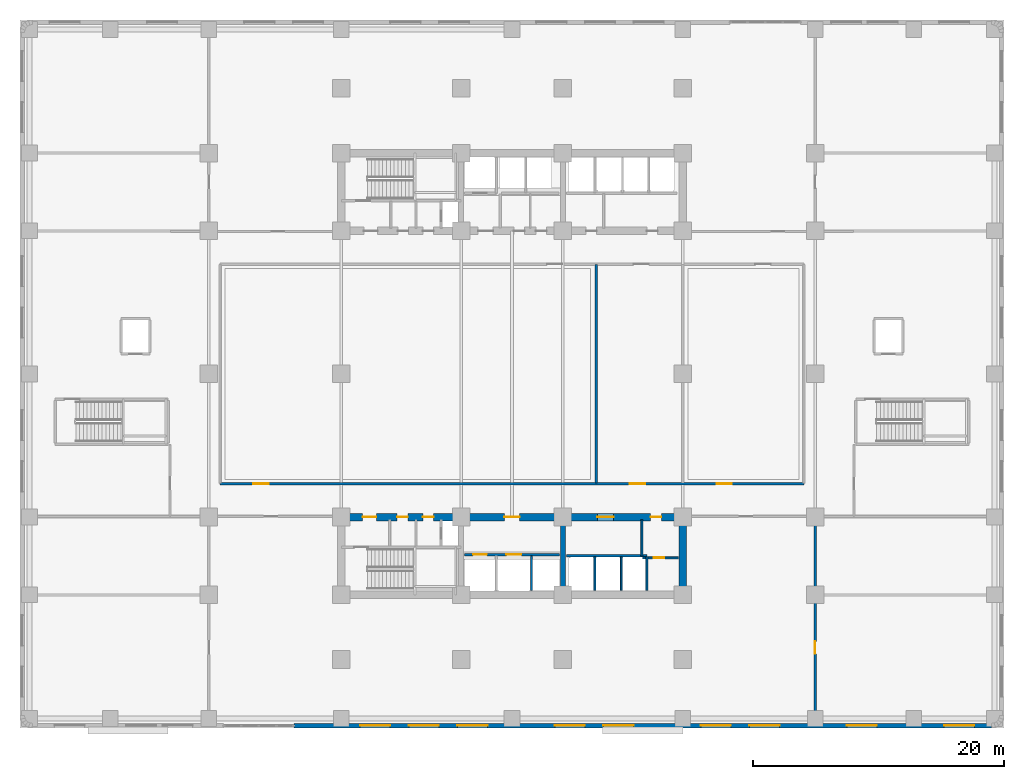
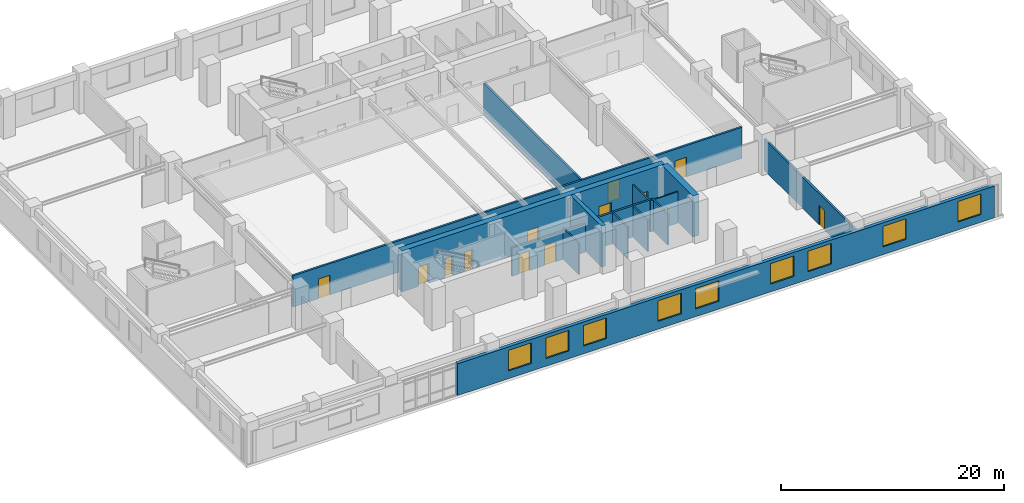
# One storey, part 7 of 14: 15 walls, 13 doors, 9 windows, 22 openings.
"""IFC4 building model written with IfcOpenShell, lengths in metres."""

from ifc_helpers import new_model, si_unit, direction, frame, frame_2d, origin, place, context, subcontext, project, spatial, rectangle, extrude, material, layer, layer_set, type_object, element, fill, save


model = new_model("IFC4")

# Units and contexts
model_context = context("Model", 3, precision=1e-05, world=origin(), true_north=direction((0.0, 1.0)))
body_context = subcontext(model_context, "Body", "Model", "MODEL_VIEW")
ifc_project = project(units=[si_unit("LENGTHUNIT", "METRE"), si_unit("AREAUNIT", "SQUARE_METRE"), si_unit("VOLUMEUNIT", "CUBIC_METRE"), si_unit("PLANEANGLEUNIT", "RADIAN"), si_unit("MASSUNIT", "GRAM", prefix="KILO")], contexts=[model_context])

# Site, building, storey
site_placement = place(None, origin())
site = spatial("IfcSite", under=ifc_project, at=site_placement, CompositionType="ELEMENT")
building_placement = place(site_placement, origin())
building = spatial("IfcBuilding", under=site, at=building_placement, Name="Svetorya Sky Lyceum", CompositionType="ELEMENT")
storey_placement = place(building_placement, frame((0.0, 0.0, 15.60009765625)))
storey = spatial("IfcBuildingStorey", under=building, at=storey_placement, Name="L03", CompositionType="ELEMENT", Elevation=15.60009765625)

# Walls
ifc_material_1 = material(Name="Concrete C40/50", Category="concrete")
ifc_layer_1 = layer(ifc_material_1, 0.39990234375)
ifc_layer_set_1 = layer_set([ifc_layer_1], Name="Concrete C40/50")
wall_type_1 = type_object("IfcWallType", Name="WL-CORE-400", PredefinedType="SHEAR", material=ifc_layer_set_1)
wall_1_placement = place(storey_placement, frame((43.25, 10.89990234375, 0.0), z_axis=(0.0, 0.0, 1.0), x_axis=(0.0, 1.0, 0.0)))
element("IfcWall", 1, at=wall_1_placement, inside=storey, type_object=wall_type_1, Name="L03 SC Internal Shear Web WEB2", PredefinedType="SHEAR", context=body_context, shape_type="SweptSolid", body=[
    extrude(rectangle(XDim=5.60009765625, YDim=0.39990234375, at=frame_2d((2.800048828125, 0.0))), origin(), (0.0, 0.0, 1.0), 4.5),
])
ifc_material_2 = material(Name="Concrete C60/75", Category="concrete")
ifc_layer_2 = layer(ifc_material_2, 0.60009765625)
ifc_layer_set_2 = layer_set([ifc_layer_2], Name="Concrete C60/75")
wall_type_2 = type_object("IfcWallType", Name="WL-CORE-600", PredefinedType="SHEAR", material=ifc_layer_set_2)
wall_2_placement = place(storey_placement, frame((52.800048828125, 10.89990234375, 0.0), z_axis=(0.0, 0.0, 1.0), x_axis=(0.0, 1.0, 0.0)))
element("IfcWall", 2, at=wall_2_placement, inside=storey, type_object=wall_type_2, Name="L03 SC East Core Shear Wall", PredefinedType="SHEAR", context=body_context, shape_type="SweptSolid", body=[
    extrude(rectangle(XDim=5.60009765625, YDim=0.60009765625, at=frame_2d((2.800048828125, 0.0))), origin(), (0.0, 0.0, 1.0), 4.5),
])

# Wall, openings, doors
wall_3_placement = place(storey_placement, frame((25.60009765625, 16.800048828125, 0.0), z_axis=(0.0, 0.0, 1.0), x_axis=(1.0, 0.0, 0.0)))
wall_3 = element("IfcWall", 3, at=wall_3_placement, inside=storey, type_object=wall_type_2, Name="L03 SC Inner Core Shear Wall", PredefinedType="SHEAR", context=body_context, shape_type="SweptSolid", body=[
    extrude(rectangle(XDim=27.199951171875, YDim=0.60009765625, at=frame_2d((13.60009765625, 0.0))), origin(), (0.0, 0.0, 1.0), 4.5),
])
opening_1_placement = place(wall_3_placement, frame((1.699951171875, 0.0, 0.0)))
opening_1 = element("IfcOpeningElement", 4, at=opening_1_placement, cuts=wall_3, Name="Opening D-ST1", PredefinedType="OPENING", context=body_context, shape_type="SweptSolid", body=[
    extrude(rectangle(XDim=1.10009765625, YDim=2.14990234375, at=frame_2d((0.550048828125, 1.074951171875))), frame((0.0, 0.31005859375, 0.0), z_axis=(0.0, -1.0, 0.0), x_axis=(1.0, 0.0, 0.0)), (0.0, 0.0, 1.0), 0.6201171875),
])
opening_2_placement = place(wall_3_placement, frame((4.449951171875, 0.0, 0.0)))
opening_2 = element("IfcOpeningElement", 5, at=opening_2_placement, cuts=wall_3, Name="Opening D-CWC1", PredefinedType="OPENING", context=body_context, shape_type="SweptSolid", body=[
    extrude(rectangle(XDim=0.85009765625, YDim=2.10009765625, at=frame_2d((0.425048828125, 1.050048828125))), frame((0.0, 0.31005859375, 0.0), z_axis=(0.0, -1.0, 0.0), x_axis=(1.0, 0.0, 0.0)), (0.0, 0.0, 1.0), 0.6201171875),
])
opening_3_placement = place(wall_3_placement, frame((6.5, 0.0, 0.0)))
opening_3 = element("IfcOpeningElement", 6, at=opening_3_placement, cuts=wall_3, Name="Opening D-CWC1", PredefinedType="OPENING", context=body_context, shape_type="SweptSolid", body=[
    extrude(rectangle(XDim=0.85009765625, YDim=2.10009765625, at=frame_2d((0.425048828125, 1.050048828125))), frame((0.0, 0.31005859375, 0.0), z_axis=(0.0, -1.0, 0.0), x_axis=(1.0, 0.0, 0.0)), (0.0, 0.0, 1.0), 0.6201171875),
])
opening_4_placement = place(wall_3_placement, frame((13.0, 0.0, 0.0)))
opening_4 = element("IfcOpeningElement", 7, at=opening_4_placement, cuts=wall_3, Name="Opening D-FL1", PredefinedType="OPENING", context=body_context, shape_type="SweptSolid", body=[
    extrude(rectangle(XDim=1.199951171875, YDim=2.14990234375, at=frame_2d((0.60009765625, 1.074951171875))), frame((0.0, 0.31005859375, 0.0), z_axis=(0.0, -1.0, 0.0), x_axis=(1.0, 0.0, 0.0)), (0.0, 0.0, 1.0), 0.6201171875),
])
opening_5_placement = place(wall_3_placement, frame((20.39990234375, 0.0, 0.0)))
opening_5 = element("IfcOpeningElement", 8, at=opening_5_placement, cuts=wall_3, Name="Opening D-LB1", PredefinedType="OPENING", context=body_context, shape_type="SweptSolid", body=[
    extrude(rectangle(XDim=1.300048828125, YDim=2.199951171875, at=frame_2d((0.64990234375, 1.10009765625))), frame((0.0, 0.31005859375, 0.0), z_axis=(0.0, -1.0, 0.0), x_axis=(1.0, 0.0, 0.0)), (0.0, 0.0, 1.0), 0.6201171875),
])
opening_6_placement = place(wall_3_placement, frame((24.64990234375, 0.0, 0.0)))
opening_6 = element("IfcOpeningElement", 9, at=opening_6_placement, cuts=wall_3, Name="Opening D-CWC1", PredefinedType="OPENING", context=body_context, shape_type="SweptSolid", body=[
    extrude(rectangle(XDim=0.85009765625, YDim=2.10009765625, at=frame_2d((0.425048828125, 1.050048828125))), frame((0.0, 0.31005859375, 0.0), z_axis=(0.0, -1.0, 0.0), x_axis=(1.0, 0.0, 0.0)), (0.0, 0.0, 1.0), 0.6201171875),
])
ifc_material_3 = material(Name="Fire-rated galvanized steel core service closet door", Category="steel")
door_type_1 = type_object("IfcDoorType", Name="DR-CWET-850", OperationType="SINGLE_SWING_LEFT", PredefinedType="DOOR", material=ifc_material_3)
door_1_placement = place(opening_2_placement, origin())
door_1 = element("IfcDoor", 10, at=door_1_placement, inside=storey, type_object=door_type_1, Name="L03 South Mop Closet Door", OperationType="SINGLE_SWING_LEFT", OverallHeight=2.10009765625, OverallWidth=0.85009765625, PredefinedType="DOOR", context=body_context, shape_type="SweptSolid", body=[
    extrude(rectangle(XDim=0.85009765625, YDim=2.10009765625, at=frame_2d((0.425048828125, 1.050048828125))), frame((0.0, 0.02490234375, 0.0), z_axis=(0.0, -1.0, 0.0), x_axis=(1.0, 0.0, 0.0)), (0.0, 0.0, 1.0), 0.050048828125),
])
fill(opening_2, door_1)
door_2_placement = place(opening_3_placement, origin())
door_2 = element("IfcDoor", 11, at=door_2_placement, inside=storey, type_object=door_type_1, Name="L03 South West WC Door", OperationType="SINGLE_SWING_RIGHT", OverallHeight=2.10009765625, OverallWidth=0.85009765625, PredefinedType="DOOR", context=body_context, shape_type="SweptSolid", body=[
    extrude(rectangle(XDim=0.85009765625, YDim=2.10009765625, at=frame_2d((0.425048828125, 1.050048828125))), frame((0.0, 0.02490234375, 0.0), z_axis=(0.0, -1.0, 0.0), x_axis=(1.0, 0.0, 0.0)), (0.0, 0.0, 1.0), 0.050048828125),
])
fill(opening_3, door_2)
door_3_placement = place(opening_6_placement, origin())
door_3 = element("IfcDoor", 12, at=door_3_placement, inside=storey, type_object=door_type_1, Name="L03 South Core Auxiliary Door", OperationType="SINGLE_SWING_LEFT", OverallHeight=2.10009765625, OverallWidth=0.85009765625, PredefinedType="DOOR", context=body_context, shape_type="SweptSolid", body=[
    extrude(rectangle(XDim=0.85009765625, YDim=2.10009765625, at=frame_2d((0.425048828125, 1.050048828125))), frame((0.0, 0.02490234375, 0.0), z_axis=(0.0, -1.0, 0.0), x_axis=(1.0, 0.0, 0.0)), (0.0, 0.0, 1.0), 0.050048828125),
])
fill(opening_6, door_3)
ifc_material_4 = material(Name="Powder-coated insulated galvanized stair fire door")
door_type_2 = type_object("IfcDoorType", Name="DR-FIRE-1100", OperationType="SINGLE_SWING_LEFT", PredefinedType="DOOR", material=ifc_material_4)
door_4_placement = place(opening_1_placement, origin())
door_4 = element("IfcDoor", 13, at=door_4_placement, inside=storey, type_object=door_type_2, Name="L03 South Stair Airlock Door", OperationType="SINGLE_SWING_RIGHT", OverallHeight=2.14990234375, OverallWidth=1.10009765625, PredefinedType="DOOR", context=body_context, shape_type="SweptSolid", body=[
    extrude(rectangle(XDim=1.10009765625, YDim=2.14990234375, at=frame_2d((0.550048828125, 1.074951171875))), frame((0.0, 0.02490234375, 0.0), z_axis=(0.0, -1.0, 0.0), x_axis=(1.0, 0.0, 0.0)), (0.0, 0.0, 1.0), 0.050048828125),
])
fill(opening_1, door_4)
ifc_material_5 = material(Name="Powder-coated insulated galvanized fire door")
door_type_3 = type_object("IfcDoorType", Name="DR-FIRE-1200", OperationType="SINGLE_SWING_LEFT", PredefinedType="DOOR", material=ifc_material_5)
door_5_placement = place(opening_4_placement, origin())
door_5 = element("IfcDoor", 14, at=door_5_placement, inside=storey, type_object=door_type_3, Name="L03 South Firefighting Lift Lobby Door", OperationType="SINGLE_SWING_LEFT", OverallHeight=2.14990234375, OverallWidth=1.199951171875, PredefinedType="DOOR", context=body_context, shape_type="SweptSolid", body=[
    extrude(rectangle(XDim=1.199951171875, YDim=2.14990234375, at=frame_2d((0.60009765625, 1.074951171875))), frame((0.0, 0.02490234375, 0.0), z_axis=(0.0, -1.0, 0.0), x_axis=(1.0, 0.0, 0.0)), (0.0, 0.0, 1.0), 0.050048828125),
])
fill(opening_4, door_5)
ifc_material_6 = material(Name="Glazed fire-rated aluminium lobby door", Category="aluminium")
door_type_4 = type_object("IfcDoorType", Name="DR-LOB-1300", OperationType="SINGLE_SWING_LEFT", PredefinedType="DOOR", material=ifc_material_6)
door_6_placement = place(opening_5_placement, origin())
door_6 = element("IfcDoor", 15, at=door_6_placement, inside=storey, type_object=door_type_4, Name="L03 Low-Rise Lift Lobby Door", OperationType="SINGLE_SWING_RIGHT", OverallHeight=2.199951171875, OverallWidth=1.300048828125, PredefinedType="DOOR", context=body_context, shape_type="SweptSolid", body=[
    extrude(rectangle(XDim=1.300048828125, YDim=2.199951171875, at=frame_2d((0.64990234375, 1.10009765625))), frame((0.0, 0.02490234375, 0.0), z_axis=(0.0, -1.0, 0.0), x_axis=(1.0, 0.0, 0.0)), (0.0, 0.0, 1.0), 0.050048828125),
])
fill(opening_5, door_6)

# Wall, openings, windows
ifc_material_7 = material(Name="Putilovo limestone rainscreen on autoclaved cellular masonry", Category="masonry")
ifc_layer_3 = layer(ifc_material_7, 0.360107421875)
ifc_layer_set_3 = layer_set([ifc_layer_3], Name="Putilovo limestone rainscreen on autoclaved cellular masonry")
wall_type_3 = type_object("IfcWallType", Name="WL-EXT-360", PredefinedType="SOLIDWALL", material=ifc_layer_set_3)
wall_4_placement = place(storey_placement, frame((21.830078125, 0.179931640625, 0.0), z_axis=(0.0, 0.0, 1.0), x_axis=(1.0, 0.0, 0.0)))
wall_4 = element("IfcWall", 16, at=wall_4_placement, inside=storey, type_object=wall_type_3, Name="L03 Limestone Exterior Wall 6B", PredefinedType="SOLIDWALL", context=body_context, shape_type="SweptSolid", body=[
    extrude(rectangle(XDim=55.58984375, YDim=0.360107421875, at=frame_2d((27.794921875, 0.0))), origin(), (0.0, 0.0, 1.0), 3.47998046875),
])
opening_7_placement = place(wall_4_placement, frame((5.266845703125, 0.0, 0.85009765625)))
opening_7 = element("IfcOpeningElement", 17, at=opening_7_placement, cuts=wall_4, Name="Opening W-S1", PredefinedType="OPENING", context=body_context, shape_type="SweptSolid", body=[
    extrude(rectangle(XDim=2.39990234375, YDim=2.25, at=frame_2d((1.199951171875, 1.125))), frame((0.0, 0.18994140625, 0.0), z_axis=(0.0, -1.0, 0.0), x_axis=(1.0, 0.0, 0.0)), (0.0, 0.0, 1.0), 0.380126953125),
])
opening_8_placement = place(wall_4_placement, frame((9.14453125, 0.0, 0.85009765625)))
opening_8 = element("IfcOpeningElement", 18, at=opening_8_placement, cuts=wall_4, Name="Opening W-S1", PredefinedType="OPENING", context=body_context, shape_type="SweptSolid", body=[
    extrude(rectangle(XDim=2.39990234375, YDim=2.25, at=frame_2d((1.199951171875, 1.125))), frame((0.0, 0.18994140625, 0.0), z_axis=(0.0, -1.0, 0.0), x_axis=(1.0, 0.0, 0.0)), (0.0, 0.0, 1.0), 0.380126953125),
])
opening_9_placement = place(wall_4_placement, frame((13.0224609375, 0.0, 0.85009765625)))
opening_9 = element("IfcOpeningElement", 19, at=opening_9_placement, cuts=wall_4, Name="Opening W-S1", PredefinedType="OPENING", context=body_context, shape_type="SweptSolid", body=[
    extrude(rectangle(XDim=2.39990234375, YDim=2.25, at=frame_2d((1.199951171875, 1.125))), frame((0.0, 0.18994140625, 0.0), z_axis=(0.0, -1.0, 0.0), x_axis=(1.0, 0.0, 0.0)), (0.0, 0.0, 1.0), 0.380126953125),
])
opening_10_placement = place(wall_4_placement, frame((20.7783203125, 0.0, 0.85009765625)))
opening_10 = element("IfcOpeningElement", 20, at=opening_10_placement, cuts=wall_4, Name="Opening W-S1", PredefinedType="OPENING", context=body_context, shape_type="SweptSolid", body=[
    extrude(rectangle(XDim=2.39990234375, YDim=2.25, at=frame_2d((1.199951171875, 1.125))), frame((0.0, 0.18994140625, 0.0), z_axis=(0.0, -1.0, 0.0), x_axis=(1.0, 0.0, 0.0)), (0.0, 0.0, 1.0), 0.380126953125),
])
opening_11_placement = place(wall_4_placement, frame((24.656005859375, 0.0, 0.85009765625)))
opening_11 = element("IfcOpeningElement", 21, at=opening_11_placement, cuts=wall_4, Name="Opening W-S1", PredefinedType="OPENING", context=body_context, shape_type="SweptSolid", body=[
    extrude(rectangle(XDim=2.39990234375, YDim=2.25, at=frame_2d((1.199951171875, 1.125))), frame((0.0, 0.18994140625, 0.0), z_axis=(0.0, -1.0, 0.0), x_axis=(1.0, 0.0, 0.0)), (0.0, 0.0, 1.0), 0.380126953125),
])
opening_12_placement = place(wall_4_placement, frame((32.411865234375, 0.0, 0.85009765625)))
opening_12 = element("IfcOpeningElement", 22, at=opening_12_placement, cuts=wall_4, Name="Opening W-S1", PredefinedType="OPENING", context=body_context, shape_type="SweptSolid", body=[
    extrude(rectangle(XDim=2.39990234375, YDim=2.25, at=frame_2d((1.199951171875, 1.125))), frame((0.0, 0.18994140625, 0.0), z_axis=(0.0, -1.0, 0.0), x_axis=(1.0, 0.0, 0.0)), (0.0, 0.0, 1.0), 0.380126953125),
])
opening_13_placement = place(wall_4_placement, frame((36.28955078125, 0.0, 0.85009765625)))
opening_13 = element("IfcOpeningElement", 23, at=opening_13_placement, cuts=wall_4, Name="Opening W-S1", PredefinedType="OPENING", context=body_context, shape_type="SweptSolid", body=[
    extrude(rectangle(XDim=2.39990234375, YDim=2.25, at=frame_2d((1.199951171875, 1.125))), frame((0.0, 0.18994140625, 0.0), z_axis=(0.0, -1.0, 0.0), x_axis=(1.0, 0.0, 0.0)), (0.0, 0.0, 1.0), 0.380126953125),
])
opening_14_placement = place(wall_4_placement, frame((44.04541015625, 0.0, 0.85009765625)))
opening_14 = element("IfcOpeningElement", 24, at=opening_14_placement, cuts=wall_4, Name="Opening W-S1", PredefinedType="OPENING", context=body_context, shape_type="SweptSolid", body=[
    extrude(rectangle(XDim=2.39990234375, YDim=2.25, at=frame_2d((1.199951171875, 1.125))), frame((0.0, 0.18994140625, 0.0), z_axis=(0.0, -1.0, 0.0), x_axis=(1.0, 0.0, 0.0)), (0.0, 0.0, 1.0), 0.380126953125),
])
opening_15_placement = place(wall_4_placement, frame((51.801025390625, 0.0, 0.85009765625)))
opening_15 = element("IfcOpeningElement", 25, at=opening_15_placement, cuts=wall_4, Name="Opening W-S1", PredefinedType="OPENING", context=body_context, shape_type="SweptSolid", body=[
    extrude(rectangle(XDim=2.39990234375, YDim=2.25, at=frame_2d((1.199951171875, 1.125))), frame((0.0, 0.18994140625, 0.0), z_axis=(0.0, -1.0, 0.0), x_axis=(1.0, 0.0, 0.0)), (0.0, 0.0, 1.0), 0.380126953125),
])
ifc_material_8 = material(Name="Thermally broken aluminium frame with triple low-E glazing", Category="aluminium")
window_type = type_object("IfcWindowType", Name="WN-SCH-240", PartitioningType="TRIPLE_PANEL_HORIZONTAL", PredefinedType="WINDOW", material=ifc_material_8)
window_1_placement = place(opening_7_placement, origin())
window_1 = element("IfcWindow", 26, at=window_1_placement, inside=storey, type_object=window_type, Name="L03 Facade Window W-S1.6B.1", OverallHeight=2.25, OverallWidth=2.39990234375, PartitioningType="SINGLE_PANEL", PredefinedType="WINDOW", context=body_context, shape_type="SweptSolid", body=[
    extrude(rectangle(XDim=2.39990234375, YDim=2.25, at=frame_2d((1.199951171875, 1.125))), frame((0.0, 0.030029296875, 0.0), z_axis=(0.0, -1.0, 0.0), x_axis=(1.0, 0.0, 0.0)), (0.0, 0.0, 1.0), 0.06005859375),
])
fill(opening_7, window_1)
window_2_placement = place(opening_8_placement, origin())
window_2 = element("IfcWindow", 27, at=window_2_placement, inside=storey, type_object=window_type, Name="L03 Facade Window W-S1.6B.2", OverallHeight=2.25, OverallWidth=2.39990234375, PartitioningType="SINGLE_PANEL", PredefinedType="WINDOW", context=body_context, shape_type="SweptSolid", body=[
    extrude(rectangle(XDim=2.39990234375, YDim=2.25, at=frame_2d((1.199951171875, 1.125))), frame((0.0, 0.030029296875, 0.0), z_axis=(0.0, -1.0, 0.0), x_axis=(1.0, 0.0, 0.0)), (0.0, 0.0, 1.0), 0.06005859375),
])
fill(opening_8, window_2)
window_3_placement = place(opening_9_placement, origin())
window_3 = element("IfcWindow", 28, at=window_3_placement, inside=storey, type_object=window_type, Name="L03 Facade Window W-S1.6B.3", OverallHeight=2.25, OverallWidth=2.39990234375, PartitioningType="SINGLE_PANEL", PredefinedType="WINDOW", context=body_context, shape_type="SweptSolid", body=[
    extrude(rectangle(XDim=2.39990234375, YDim=2.25, at=frame_2d((1.199951171875, 1.125))), frame((0.0, 0.030029296875, 0.0), z_axis=(0.0, -1.0, 0.0), x_axis=(1.0, 0.0, 0.0)), (0.0, 0.0, 1.0), 0.06005859375),
])
fill(opening_9, window_3)
window_4_placement = place(opening_10_placement, origin())
window_4 = element("IfcWindow", 29, at=window_4_placement, inside=storey, type_object=window_type, Name="L03 Facade Window W-S1.6B.4", OverallHeight=2.25, OverallWidth=2.39990234375, PartitioningType="SINGLE_PANEL", PredefinedType="WINDOW", context=body_context, shape_type="SweptSolid", body=[
    extrude(rectangle(XDim=2.39990234375, YDim=2.25, at=frame_2d((1.199951171875, 1.125))), frame((0.0, 0.030029296875, 0.0), z_axis=(0.0, -1.0, 0.0), x_axis=(1.0, 0.0, 0.0)), (0.0, 0.0, 1.0), 0.06005859375),
])
fill(opening_10, window_4)
window_5_placement = place(opening_11_placement, origin())
window_5 = element("IfcWindow", 30, at=window_5_placement, inside=storey, type_object=window_type, Name="L03 Facade Window W-S1.6B.5", OverallHeight=2.25, OverallWidth=2.39990234375, PartitioningType="SINGLE_PANEL", PredefinedType="WINDOW", context=body_context, shape_type="SweptSolid", body=[
    extrude(rectangle(XDim=2.39990234375, YDim=2.25, at=frame_2d((1.199951171875, 1.125))), frame((0.0, 0.030029296875, 0.0), z_axis=(0.0, -1.0, 0.0), x_axis=(1.0, 0.0, 0.0)), (0.0, 0.0, 1.0), 0.06005859375),
])
fill(opening_11, window_5)
window_6_placement = place(opening_12_placement, origin())
window_6 = element("IfcWindow", 31, at=window_6_placement, inside=storey, type_object=window_type, Name="L03 Facade Window W-S1.6B.6", OverallHeight=2.25, OverallWidth=2.39990234375, PartitioningType="SINGLE_PANEL", PredefinedType="WINDOW", context=body_context, shape_type="SweptSolid", body=[
    extrude(rectangle(XDim=2.39990234375, YDim=2.25, at=frame_2d((1.199951171875, 1.125))), frame((0.0, 0.030029296875, 0.0), z_axis=(0.0, -1.0, 0.0), x_axis=(1.0, 0.0, 0.0)), (0.0, 0.0, 1.0), 0.06005859375),
])
fill(opening_12, window_6)
window_7_placement = place(opening_13_placement, origin())
window_7 = element("IfcWindow", 32, at=window_7_placement, inside=storey, type_object=window_type, Name="L03 Facade Window W-S1.6B.7", OverallHeight=2.25, OverallWidth=2.39990234375, PartitioningType="SINGLE_PANEL", PredefinedType="WINDOW", context=body_context, shape_type="SweptSolid", body=[
    extrude(rectangle(XDim=2.39990234375, YDim=2.25, at=frame_2d((1.199951171875, 1.125))), frame((0.0, 0.030029296875, 0.0), z_axis=(0.0, -1.0, 0.0), x_axis=(1.0, 0.0, 0.0)), (0.0, 0.0, 1.0), 0.06005859375),
])
fill(opening_13, window_7)
window_8_placement = place(opening_14_placement, origin())
window_8 = element("IfcWindow", 33, at=window_8_placement, inside=storey, type_object=window_type, Name="L03 Facade Window W-S1.6B.8", OverallHeight=2.25, OverallWidth=2.39990234375, PartitioningType="SINGLE_PANEL", PredefinedType="WINDOW", context=body_context, shape_type="SweptSolid", body=[
    extrude(rectangle(XDim=2.39990234375, YDim=2.25, at=frame_2d((1.199951171875, 1.125))), frame((0.0, 0.030029296875, 0.0), z_axis=(0.0, -1.0, 0.0), x_axis=(1.0, 0.0, 0.0)), (0.0, 0.0, 1.0), 0.06005859375),
])
fill(opening_14, window_8)
window_9_placement = place(opening_15_placement, origin())
window_9 = element("IfcWindow", 34, at=window_9_placement, inside=storey, type_object=window_type, Name="L03 Facade Window W-S1.6B.9", OverallHeight=2.25, OverallWidth=2.39990234375, PartitioningType="SINGLE_PANEL", PredefinedType="WINDOW", context=body_context, shape_type="SweptSolid", body=[
    extrude(rectangle(XDim=2.39990234375, YDim=2.25, at=frame_2d((1.199951171875, 1.125))), frame((0.0, 0.030029296875, 0.0), z_axis=(0.0, -1.0, 0.0), x_axis=(1.0, 0.0, 0.0)), (0.0, 0.0, 1.0), 0.06005859375),
])
fill(opening_15, window_9)

# Walls
ifc_material_9 = material(Name="Autoclaved cellular masonry blockwork with acoustic render", Category="masonry")
ifc_layer_4 = layer(ifc_material_9, 0.14990234375)
ifc_layer_set_4 = layer_set([ifc_layer_4], Name="Autoclaved cellular masonry blockwork with acoustic render")
wall_type_4 = type_object("IfcWallType", Name="WL-PART-150", PredefinedType="PARTITIONING", material=ifc_layer_set_4)
wall_5_placement = place(storey_placement, frame((40.75, 10.949951171875, 0.0), z_axis=(0.0, 0.0, 1.0), x_axis=(0.0, 1.0, 0.0)))
element("IfcWall", 35, at=wall_5_placement, inside=storey, type_object=wall_type_4, Name="L03 Interior Partition SC-SHD2", PredefinedType="PARTITIONING", context=body_context, shape_type="SweptSolid", body=[
    extrude(rectangle(XDim=2.75, YDim=0.14990234375, at=frame_2d((1.375, 0.0))), origin(), (0.0, 0.0, 1.0), 3.419921875),
])
for number, where, z_axis, x_axis, name in (
    (36, (45.800048828125, 10.949951171875, 0.0), (0.0, 0.0, 1.0), (0.0, 1.0, 0.0), "L03 Interior Partition SC-PL-DIV1"),
    (37, (47.89990234375, 10.949951171875, 0.0), (0.0, 0.0, 1.0), (0.0, 1.0, 0.0), "L03 Interior Partition SC-PL-DIV2"),
    (38, (49.949951171875, 10.949951171875, 0.0), (0.0, 0.0, 1.0), (0.0, 1.0, 0.0), "L03 Interior Partition SC-PL-END"),
):
    element("IfcWall", number, at=place(storey_placement, frame(where, z_axis=z_axis, x_axis=x_axis)), inside=storey, type_object=wall_type_4, Name=name, PredefinedType="PARTITIONING", context=body_context, shape_type="SweptSolid", body=[
        extrude(rectangle(XDim=2.699951171875, YDim=0.14990234375, at=frame_2d((1.35009765625, 0.0))), origin(), (0.0, 0.0, 1.0), 3.419921875),
    ])
wall_6_placement = place(storey_placement, frame((49.550048828125, 13.699951171875, 0.0), z_axis=(0.0, 0.0, 1.0), x_axis=(0.0, 1.0, 0.0)))
element("IfcWall", 39, at=wall_6_placement, inside=storey, type_object=wall_type_4, Name="L03 Interior Partition SC-AUX-V", PredefinedType="PARTITIONING", context=body_context, shape_type="SweptSolid", body=[
    extrude(rectangle(XDim=2.880126953125, YDim=0.14990234375, at=frame_2d((1.43994140625, 0.0))), origin(), (0.0, 0.0, 1.0), 3.419921875),
])

# Wall, opening, door
wall_7_placement = place(storey_placement, frame((49.60009765625, 13.550048828125, 0.0), z_axis=(0.0, 0.0, 1.0), x_axis=(1.0, 0.0, 0.0)))
wall_7 = element("IfcWall", 40, at=wall_7_placement, inside=storey, type_object=wall_type_4, Name="L03 Interior Partition SC-AUX-H", PredefinedType="PARTITIONING", context=body_context, shape_type="SweptSolid", body=[
    extrude(rectangle(XDim=2.849853515625, YDim=0.14990234375, at=frame_2d((1.4248046875, 0.0))), origin(), (0.0, 0.0, 1.0), 3.419921875),
])
opening_16_placement = place(wall_7_placement, frame((0.89990234375, 0.0, 0.0)))
opening_16 = element("IfcOpeningElement", 41, at=opening_16_placement, cuts=wall_7, Name="Opening D-CWC1", PredefinedType="OPENING", context=body_context, shape_type="SweptSolid", body=[
    extrude(rectangle(XDim=0.85009765625, YDim=2.10009765625, at=frame_2d((0.425048828125, 1.050048828125))), frame((0.0, 0.0849609375, 0.0), z_axis=(0.0, -1.0, 0.0), x_axis=(1.0, 0.0, 0.0)), (0.0, 0.0, 1.0), 0.169921875),
])
door_7_placement = place(opening_16_placement, origin())
door_7 = element("IfcDoor", 42, at=door_7_placement, inside=storey, type_object=door_type_1, Name="L03 South Electrical Closet Door", OperationType="SINGLE_SWING_LEFT", OverallHeight=2.10009765625, OverallWidth=0.85009765625, PredefinedType="DOOR", context=body_context, shape_type="SweptSolid", body=[
    extrude(rectangle(XDim=0.85009765625, YDim=2.10009765625, at=frame_2d((0.425048828125, 1.050048828125))), frame((0.0, 0.02490234375, 0.0), z_axis=(0.0, -1.0, 0.0), x_axis=(1.0, 0.0, 0.0)), (0.0, 0.0, 1.0), 0.050048828125),
])
fill(opening_16, door_7)

# Wall, openings, doors
ifc_material_10 = material(Name="Autoclaved cellular masonry blockwork with gypsum plaster", Category="masonry")
ifc_layer_5 = layer(ifc_material_10, 0.199951171875)
ifc_layer_set_5 = layer_set([ifc_layer_5], Name="Autoclaved cellular masonry blockwork with gypsum plaster")
wall_type_5 = type_object("IfcWallType", Name="WL-PART-200", PredefinedType="PARTITIONING", material=ifc_layer_set_5)
wall_8_placement = place(storey_placement, frame((35.39990234375, 13.800048828125, 0.0), z_axis=(0.0, 0.0, 1.0), x_axis=(1.0, 0.0, 0.0)))
wall_8 = element("IfcWall", 43, at=wall_8_placement, inside=storey, type_object=wall_type_5, Name="L03 Interior Partition SC-FLW", PredefinedType="PARTITIONING", context=body_context, shape_type="SweptSolid", body=[
    extrude(rectangle(XDim=7.60009765625, YDim=0.199951171875, at=frame_2d((3.800048828125, 0.0))), origin(), (0.0, 0.0, 1.0), 3.079833984375),
])
opening_17_placement = place(wall_8_placement, frame((0.699951171875, 0.0, 0.0)))
opening_17 = element("IfcOpeningElement", 44, at=opening_17_placement, cuts=wall_8, Name="Opening LD-FL", PredefinedType="OPENING", context=body_context, shape_type="SweptSolid", body=[
    extrude(rectangle(XDim=1.10009765625, YDim=2.14990234375, at=frame_2d((0.550048828125, 1.074951171875))), frame((0.0, 0.10986328125, 0.0), z_axis=(0.0, -1.0, 0.0), x_axis=(1.0, 0.0, 0.0)), (0.0, 0.0, 1.0), 0.219970703125),
])
opening_18_placement = place(wall_8_placement, frame((3.35009765625, 0.0, 0.0)))
opening_18 = element("IfcOpeningElement", 45, at=opening_18_placement, cuts=wall_8, Name="Opening LD-SV", PredefinedType="OPENING", context=body_context, shape_type="SweptSolid", body=[
    extrude(rectangle(XDim=1.199951171875, YDim=2.14990234375, at=frame_2d((0.60009765625, 1.074951171875))), frame((0.0, 0.10986328125, 0.0), z_axis=(0.0, -1.0, 0.0), x_axis=(1.0, 0.0, 0.0)), (0.0, 0.0, 1.0), 0.219970703125),
])
ifc_material_11 = material(Name="Fire-rated stainless AISI 304 firefighting lift landing door")
door_type_5 = type_object("IfcDoorType", Name="DR-LIFT-1100", OperationType="SLIDING_TO_LEFT", PredefinedType="DOOR", material=ifc_material_11)
door_8_placement = place(opening_17_placement, origin())
door_8 = element("IfcDoor", 46, at=door_8_placement, inside=storey, type_object=door_type_5, Name="L03 Firefighting Lift FL2 Landing Door", OperationType="SLIDING_TO_LEFT", OverallHeight=2.14990234375, OverallWidth=1.10009765625, PredefinedType="DOOR", context=body_context, shape_type="SweptSolid", body=[
    extrude(rectangle(XDim=1.10009765625, YDim=2.14990234375, at=frame_2d((0.550048828125, 1.074951171875))), frame((0.0, 0.02490234375, 0.0), z_axis=(0.0, -1.0, 0.0), x_axis=(1.0, 0.0, 0.0)), (0.0, 0.0, 1.0), 0.050048828125),
])
fill(opening_17, door_8)
ifc_material_12 = material(Name="Brushed stainless AISI 304 telescopic lift landing door")
door_type_6 = type_object("IfcDoorType", Name="DR-LIFT-1200", OperationType="SLIDING_TO_LEFT", PredefinedType="DOOR", material=ifc_material_12)
door_9_placement = place(opening_18_placement, origin())
door_9 = element("IfcDoor", 47, at=door_9_placement, inside=storey, type_object=door_type_6, Name="L03 Service Lift SVL1 Landing Door", OperationType="SLIDING_TO_LEFT", OverallHeight=2.14990234375, OverallWidth=1.199951171875, PredefinedType="DOOR", context=body_context, shape_type="SweptSolid", body=[
    extrude(rectangle(XDim=1.199951171875, YDim=2.14990234375, at=frame_2d((0.60009765625, 1.074951171875))), frame((0.0, 0.02490234375, 0.0), z_axis=(0.0, -1.0, 0.0), x_axis=(1.0, 0.0, 0.0)), (0.0, 0.0, 1.0), 0.050048828125),
])
fill(opening_18, door_9)

# Walls
wall_9_placement = place(storey_placement, frame((43.550048828125, 13.699951171875, 0.0), z_axis=(0.0, 0.0, 1.0), x_axis=(1.0, 0.0, 0.0)))
element("IfcWall", 48, at=wall_9_placement, inside=storey, type_object=wall_type_5, Name="L03 Interior Partition SC-PLW", PredefinedType="PARTITIONING", context=body_context, shape_type="SweptSolid", body=[
    extrude(rectangle(XDim=6.39990234375, YDim=0.199951171875, at=frame_2d((3.199951171875, 0.0))), origin(), (0.0, 0.0, 1.0), 3.419921875),
])
wall_10_placement = place(storey_placement, frame((45.89990234375, 19.5, 0.0), z_axis=(0.0, 0.0, 1.0), x_axis=(0.0, 1.0, 0.0)))
element("IfcWall", 49, at=wall_10_placement, inside=storey, type_object=wall_type_5, Name="L03 Interior Partition CEN-DIV-1", PredefinedType="PARTITIONING", context=body_context, shape_type="SweptSolid", body=[
    extrude(rectangle(XDim=17.39990234375, YDim=0.199951171875, at=frame_2d((8.699951171875, 0.0))), origin(), (0.0, 0.0, 1.0), 3.419921875),
])

# Wall, openings, doors
wall_11_placement = place(storey_placement, frame((15.949951171875, 19.449951171875, 0.0), z_axis=(0.0, 0.0, 1.0), x_axis=(1.0, 0.0, 0.0)))
wall_11 = element("IfcWall", 50, at=wall_11_placement, inside=storey, type_object=wall_type_5, Name="L03 Interior Partition CEN-S", PredefinedType="PARTITIONING", context=body_context, shape_type="SweptSolid", body=[
    extrude(rectangle(XDim=46.5, YDim=0.199951171875, at=frame_2d((23.25, 0.0))), origin(), (0.0, 0.0, 1.0), 3.419921875),
])
opening_19_placement = place(wall_11_placement, frame((2.64990234375, 0.0, 0.0)))
opening_19 = element("IfcOpeningElement", 51, at=opening_19_placement, cuts=wall_11, Name="Opening D-SC1", PredefinedType="OPENING", context=body_context, shape_type="SweptSolid", body=[
    extrude(rectangle(XDim=1.199951171875, YDim=2.14990234375, at=frame_2d((0.60009765625, 1.074951171875))), frame((0.0, 0.10986328125, 0.0), z_axis=(0.0, -1.0, 0.0), x_axis=(1.0, 0.0, 0.0)), (0.0, 0.0, 1.0), 0.219970703125),
])
opening_20_placement = place(wall_11_placement, frame((32.64990234375, 0.0, 0.0)))
opening_20 = element("IfcOpeningElement", 52, at=opening_20_placement, cuts=wall_11, Name="Opening D-SC1", PredefinedType="OPENING", context=body_context, shape_type="SweptSolid", body=[
    extrude(rectangle(XDim=1.199951171875, YDim=2.14990234375, at=frame_2d((0.60009765625, 1.074951171875))), frame((0.0, 0.10986328125, 0.0), z_axis=(0.0, -1.0, 0.0), x_axis=(1.0, 0.0, 0.0)), (0.0, 0.0, 1.0), 0.219970703125),
])
opening_21_placement = place(wall_11_placement, frame((39.550048828125, 0.0, 0.0)))
opening_21 = element("IfcOpeningElement", 53, at=opening_21_placement, cuts=wall_11, Name="Opening D-SC1", PredefinedType="OPENING", context=body_context, shape_type="SweptSolid", body=[
    extrude(rectangle(XDim=1.199951171875, YDim=2.14990234375, at=frame_2d((0.60009765625, 1.074951171875))), frame((0.0, 0.10986328125, 0.0), z_axis=(0.0, -1.0, 0.0), x_axis=(1.0, 0.0, 0.0)), (0.0, 0.0, 1.0), 0.219970703125),
])
ifc_material_13 = material(Name="Acoustic solid-core birch classroom door")
door_type_7 = type_object("IfcDoorType", Name="DR-SCH-1200", OperationType="SINGLE_SWING_LEFT", PredefinedType="DOOR", material=ifc_material_13)
door_10_placement = place(opening_19_placement, origin())
door_10 = element("IfcDoor", 54, at=door_10_placement, inside=storey, type_object=door_type_7, Name="L03 Gymnasium Sports Hall South Door", OperationType="SINGLE_SWING_LEFT", OverallHeight=2.14990234375, OverallWidth=1.199951171875, PredefinedType="DOOR", context=body_context, shape_type="SweptSolid", body=[
    extrude(rectangle(XDim=1.199951171875, YDim=2.14990234375, at=frame_2d((0.60009765625, 1.074951171875))), frame((0.0, 0.02490234375, 0.0), z_axis=(0.0, -1.0, 0.0), x_axis=(1.0, 0.0, 0.0)), (0.0, 0.0, 1.0), 0.050048828125),
])
fill(opening_19, door_10)
door_11_placement = place(opening_20_placement, origin())
door_11 = element("IfcDoor", 55, at=door_11_placement, inside=storey, type_object=door_type_7, Name="L03 Bathroom Pupil Changing Room South Door", OperationType="SINGLE_SWING_RIGHT", OverallHeight=2.14990234375, OverallWidth=1.199951171875, PredefinedType="DOOR", context=body_context, shape_type="SweptSolid", body=[
    extrude(rectangle(XDim=1.199951171875, YDim=2.14990234375, at=frame_2d((0.60009765625, 1.074951171875))), frame((0.0, 0.02490234375, 0.0), z_axis=(0.0, -1.0, 0.0), x_axis=(1.0, 0.0, 0.0)), (0.0, 0.0, 1.0), 0.050048828125),
])
fill(opening_20, door_11)
door_12_placement = place(opening_21_placement, origin())
door_12 = element("IfcDoor", 56, at=door_12_placement, inside=storey, type_object=door_type_7, Name="L03 Laboratory Chemistry Teaching South Door", OperationType="SINGLE_SWING_LEFT", OverallHeight=2.14990234375, OverallWidth=1.199951171875, PredefinedType="DOOR", context=body_context, shape_type="SweptSolid", body=[
    extrude(rectangle(XDim=1.199951171875, YDim=2.14990234375, at=frame_2d((0.60009765625, 1.074951171875))), frame((0.0, 0.02490234375, 0.0), z_axis=(0.0, -1.0, 0.0), x_axis=(1.0, 0.0, 0.0)), (0.0, 0.0, 1.0), 0.050048828125),
])
fill(opening_21, door_12)

# Wall, opening, door
wall_12_placement = place(storey_placement, frame((63.35009765625, 0.39990234375, 0.0), z_axis=(0.0, 0.0, 1.0), x_axis=(0.0, 1.0, 0.0)))
wall_12 = element("IfcWall", 57, at=wall_12_placement, inside=storey, type_object=wall_type_5, Name="L03 Interior Partition SE-DIV", PredefinedType="PARTITIONING", context=body_context, shape_type="SweptSolid", body=[
    extrude(rectangle(XDim=16.400146484375, YDim=0.199951171875, at=frame_2d((8.2001953125, 0.0))), origin(), (0.0, 0.0, 1.0), 3.419921875),
])
opening_22_placement = place(wall_12_placement, frame((5.5, 0.0, 0.0)))
opening_22 = element("IfcOpeningElement", 58, at=opening_22_placement, cuts=wall_12, Name="Opening D-RM2", PredefinedType="OPENING", context=body_context, shape_type="SweptSolid", body=[
    extrude(rectangle(XDim=1.0, YDim=2.14990234375, at=frame_2d((0.5, 1.074951171875))), frame((0.0, 0.10986328125, 0.0), z_axis=(0.0, -1.0, 0.0), x_axis=(1.0, 0.0, 0.0)), (0.0, 0.0, 1.0), 0.219970703125),
])
ifc_material_14 = material(Name="Solid-core oak acoustic room door")
door_type_8 = type_object("IfcDoorType", Name="DR-INT-1000", OperationType="SINGLE_SWING_LEFT", PredefinedType="DOOR", material=ifc_material_14)
door_13_placement = place(opening_22_placement, origin())
door_13 = element("IfcDoor", 59, at=door_13_placement, inside=storey, type_object=door_type_8, Name="L03 Classroom SE2 Door", OperationType="SINGLE_SWING_LEFT", OverallHeight=2.14990234375, OverallWidth=1.0, PredefinedType="DOOR", context=body_context, shape_type="SweptSolid", body=[
    extrude(rectangle(XDim=1.0, YDim=2.14990234375, at=frame_2d((0.5, 1.074951171875))), frame((0.0, 0.02490234375, 0.0), z_axis=(0.0, -1.0, 0.0), x_axis=(1.0, 0.0, 0.0)), (0.0, 0.0, 1.0), 0.050048828125),
])
fill(opening_22, door_13)

save(model, "model.ifc")
